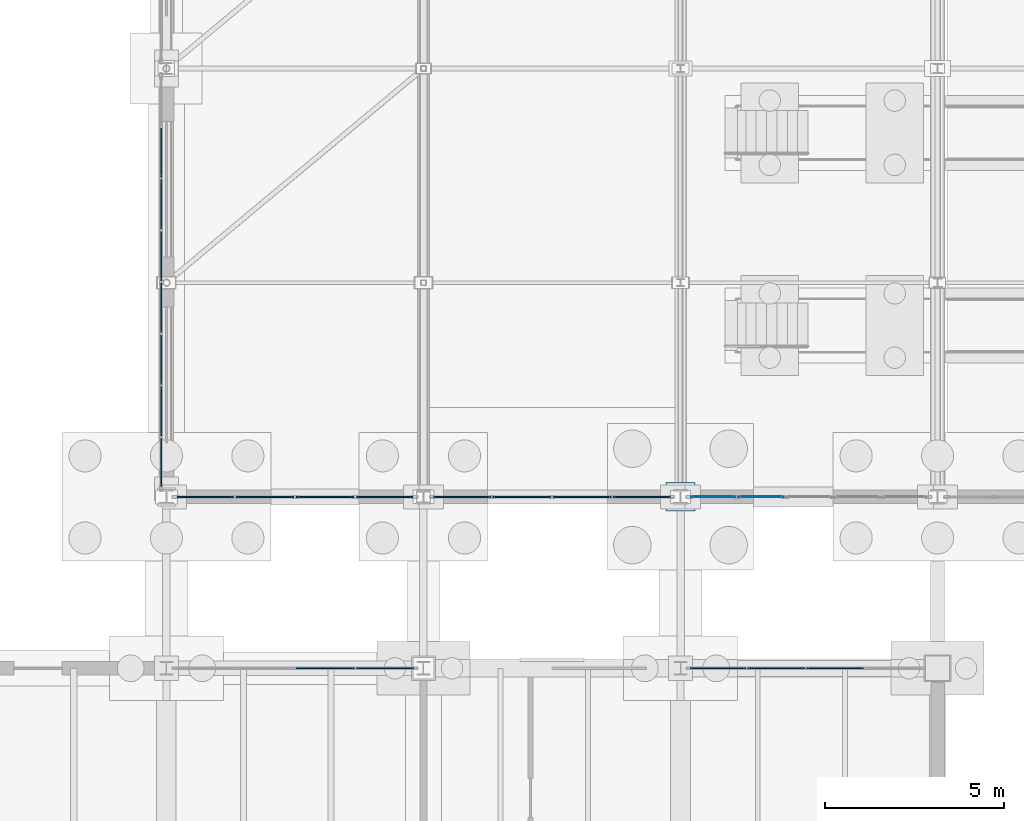
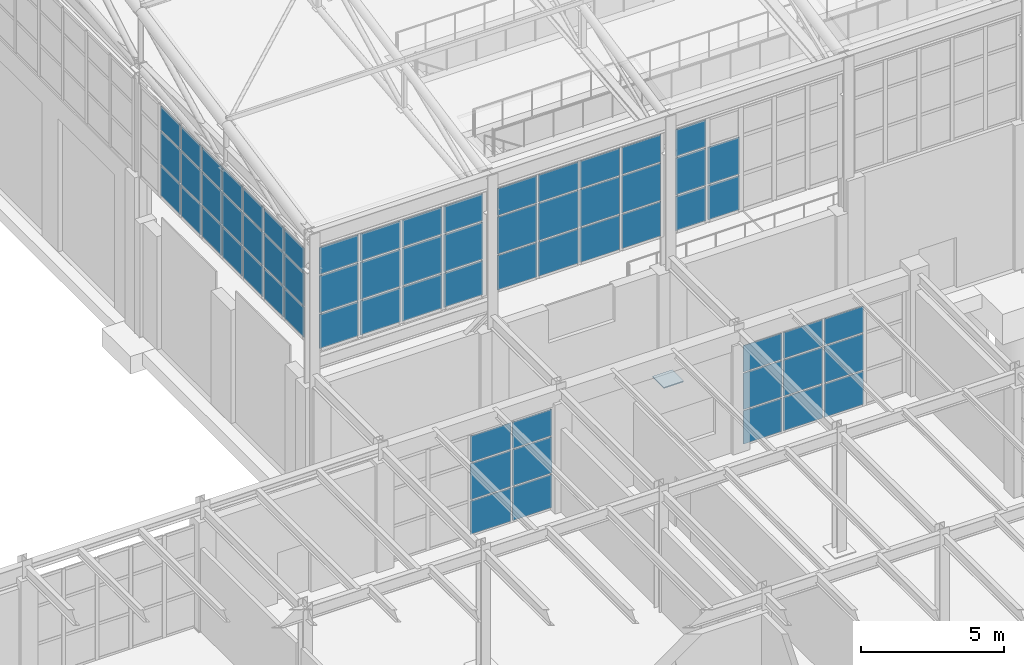
# One storey, part 238 of 293: 66 plates, 6 elements without a shape of their own.
"""IFC4 building model written with IfcOpenShell, lengths in metres."""

from ifc_helpers import new_model, si_unit, direction, frame, origin, origin_2d, place, context, subcontext, project, spatial, rectangle, extrude, material, layer, layer_set, type_object, element, aggregate, save


model = new_model("IFC4")

# Units and contexts
model_context = context("Model", 3, precision=1e-05, world=origin(), true_north=direction((0.0, 1.0)))
body_context = subcontext(model_context, "Body", "Model", "MODEL_VIEW")
ifc_project = project(units=[si_unit("LENGTHUNIT", "METRE"), si_unit("AREAUNIT", "SQUARE_METRE"), si_unit("VOLUMEUNIT", "CUBIC_METRE"), si_unit("PLANEANGLEUNIT", "RADIAN"), si_unit("MASSUNIT", "GRAM", prefix="KILO")], contexts=[model_context])

# Site, building, storey
site_placement = place(None, origin())
site = spatial("IfcSite", under=ifc_project, at=site_placement, CompositionType="ELEMENT")
building_placement = place(site_placement, origin())
building = spatial("IfcBuilding", under=site, at=building_placement, Name="Kemerveld Promenade Tramway Depot", CompositionType="ELEMENT")
storey_placement = place(building_placement, origin())
storey = spatial("IfcBuildingStorey", under=building, at=storey_placement, Name="L00", CompositionType="ELEMENT", Elevation=0.0)

# Curtain wall, plates
ifc_material_1 = material(Name="Bronze anodised aluminium and solar glass", Category="aluminium")
ifc_layer_1 = layer(ifc_material_1, 0.159912109375)
ifc_layer_set_1 = layer_set([ifc_layer_1], Name="CW-SYS-09")
curtain_wall_type_1 = type_object("IfcCurtainWallType", Name="CW-SYS-09", PredefinedType="USERDEFINED", material=ifc_layer_set_1)
curtain_wall_1_placement = place(storey_placement, origin())
curtain_wall_1 = element("IfcCurtainWall", 1, at=curtain_wall_1_placement, inside=storey, type_object=curtain_wall_type_1, Name="CW-L00-V5N-06", ObjectType="GLAZED_CURTAIN_WALL", PredefinedType="USERDEFINED")
ifc_material_2 = material(Name="Solar-control laminated double glazing", Category="glass")
ifc_layer_2 = layer(ifc_material_2, 0.028076171875)
ifc_layer_set_2 = layer_set([ifc_layer_2], Name="CW-PNL-01")
plate_type_1 = type_object("IfcPlateType", Name="CW-PNL-01", PredefinedType="CURTAIN_PANEL", material=ifc_layer_set_2)
plate_1_placement = place(storey_placement, frame((40.448486328125, 79.199951171875, 0.06005859375), z_axis=(0.0, 0.0, 1.0), x_axis=(1.0, 0.0, 0.0)))
plate_1 = element("IfcPlate", 2, at=plate_1_placement, type_object=plate_type_1, Name="CW09 panel 3.1", PredefinedType="CURTAIN_PANEL", context=body_context, shape_type="SweptSolid", body=[
    extrude(rectangle(XDim=1.6318359375, YDim=0.028076171875, at=origin_2d()), origin(), (0.0, 0.0, 1.0), 1.425048828125),
])
plate_2_placement = place(storey_placement, frame((40.448486328125, 79.199951171875, 1.544921875), z_axis=(0.0, 0.0, 1.0), x_axis=(1.0, 0.0, 0.0)))
plate_2 = element("IfcPlate", 3, at=plate_2_placement, type_object=plate_type_1, Name="CW09 panel 3.2", PredefinedType="CURTAIN_PANEL", context=body_context, shape_type="SweptSolid", body=[
    extrude(rectangle(XDim=1.6318359375, YDim=0.028076171875, at=origin_2d()), origin(), (0.0, 0.0, 1.0), 1.54296875),
])
plate_3_placement = place(storey_placement, frame((40.448486328125, 79.199951171875, 3.14794921875), z_axis=(0.0, 0.0, 1.0), x_axis=(1.0, 0.0, 0.0)))
plate_3 = element("IfcPlate", 4, at=plate_3_placement, type_object=plate_type_1, Name="CW09 panel 3.3", PredefinedType="CURTAIN_PANEL", context=body_context, shape_type="SweptSolid", body=[
    extrude(rectangle(XDim=1.6318359375, YDim=0.028076171875, at=origin_2d()), origin(), (0.0, 0.0, 1.0), 1.1220703125),
])
plate_4_placement = place(storey_placement, frame((42.12890625, 79.199951171875, 0.06005859375), z_axis=(0.0, 0.0, 1.0), x_axis=(1.0, 0.0, 0.0)))
plate_4 = element("IfcPlate", 5, at=plate_4_placement, type_object=plate_type_1, Name="CW09 panel 4.1", PredefinedType="CURTAIN_PANEL", context=body_context, shape_type="SweptSolid", body=[
    extrude(rectangle(XDim=1.599365234375, YDim=0.028076171875, at=origin_2d()), origin(), (0.0, 0.0, 1.0), 1.425048828125),
])
plate_5_placement = place(storey_placement, frame((42.12890625, 79.199951171875, 1.544921875), z_axis=(0.0, 0.0, 1.0), x_axis=(1.0, 0.0, 0.0)))
plate_5 = element("IfcPlate", 6, at=plate_5_placement, type_object=plate_type_1, Name="CW09 panel 4.2", PredefinedType="CURTAIN_PANEL", context=body_context, shape_type="SweptSolid", body=[
    extrude(rectangle(XDim=1.599365234375, YDim=0.028076171875, at=origin_2d()), origin(), (0.0, 0.0, 1.0), 1.54296875),
])
plate_6_placement = place(storey_placement, frame((42.12890625, 79.199951171875, 3.14794921875), z_axis=(0.0, 0.0, 1.0), x_axis=(1.0, 0.0, 0.0)))
plate_6 = element("IfcPlate", 7, at=plate_6_placement, type_object=plate_type_1, Name="CW09 panel 4.3", PredefinedType="CURTAIN_PANEL", context=body_context, shape_type="SweptSolid", body=[
    extrude(rectangle(XDim=1.599365234375, YDim=0.028076171875, at=origin_2d()), origin(), (0.0, 0.0, 1.0), 1.1220703125),
])
aggregate(curtain_wall_1, [plate_1, plate_2, plate_3, plate_4, plate_5, plate_6])

ifc_layer_3 = layer(ifc_material_1, 0.159912109375)
ifc_layer_set_3 = layer_set([ifc_layer_3], Name="CW-SYS-11")
curtain_wall_type_2 = type_object("IfcCurtainWallType", Name="CW-SYS-11", PredefinedType="USERDEFINED", material=ifc_layer_set_3)
curtain_wall_2_placement = place(storey_placement, origin())
curtain_wall_2 = element("IfcCurtainWall", 8, at=curtain_wall_2_placement, inside=storey, type_object=curtain_wall_type_2, Name="CW-L00-V5N-08", ObjectType="GLAZED_CURTAIN_WALL", PredefinedType="USERDEFINED")
ifc_layer_4 = layer(ifc_material_2, 0.028076171875)
ifc_layer_set_4 = layer_set([ifc_layer_4], Name="CW-PNL-03")
plate_type_2 = type_object("IfcPlateType", Name="CW-PNL-03", PredefinedType="CURTAIN_PANEL", material=ifc_layer_set_4)
plate_7_placement = place(storey_placement, frame((51.447265625, 79.199951171875, 0.06005859375), z_axis=(0.0, 0.0, 1.0), x_axis=(1.0, 0.0, 0.0)))
plate_7 = element("IfcPlate", 9, at=plate_7_placement, type_object=plate_type_2, Name="CW11 panel 1.1", PredefinedType="CURTAIN_PANEL", context=body_context, shape_type="SweptSolid", body=[
    extrude(rectangle(XDim=1.55224609375, YDim=0.028076171875, at=origin_2d()), origin(), (0.0, 0.0, 1.0), 1.425048828125),
])
plate_8_placement = place(storey_placement, frame((51.447265625, 79.199951171875, 1.544921875), z_axis=(0.0, 0.0, 1.0), x_axis=(1.0, 0.0, 0.0)))
plate_8 = element("IfcPlate", 10, at=plate_8_placement, type_object=plate_type_2, Name="CW11 panel 1.2", PredefinedType="CURTAIN_PANEL", context=body_context, shape_type="SweptSolid", body=[
    extrude(rectangle(XDim=1.55224609375, YDim=0.028076171875, at=origin_2d()), origin(), (0.0, 0.0, 1.0), 1.54296875),
])
plate_9_placement = place(storey_placement, frame((51.447265625, 79.199951171875, 3.14794921875), z_axis=(0.0, 0.0, 1.0), x_axis=(1.0, 0.0, 0.0)))
plate_9 = element("IfcPlate", 11, at=plate_9_placement, type_object=plate_type_2, Name="CW11 panel 1.3", PredefinedType="CURTAIN_PANEL", context=body_context, shape_type="SweptSolid", body=[
    extrude(rectangle(XDim=1.55224609375, YDim=0.028076171875, at=origin_2d()), origin(), (0.0, 0.0, 1.0), 1.1220703125),
])
plate_10_placement = place(storey_placement, frame((53.080810546875, 79.199951171875, 0.06005859375), z_axis=(0.0, 0.0, 1.0), x_axis=(1.0, 0.0, 0.0)))
plate_10 = element("IfcPlate", 12, at=plate_10_placement, type_object=plate_type_2, Name="CW11 panel 2.1", PredefinedType="CURTAIN_PANEL", context=body_context, shape_type="SweptSolid", body=[
    extrude(rectangle(XDim=1.584716796875, YDim=0.028076171875, at=origin_2d()), origin(), (0.0, 0.0, 1.0), 1.425048828125),
])
plate_11_placement = place(storey_placement, frame((53.080810546875, 79.199951171875, 1.544921875), z_axis=(0.0, 0.0, 1.0), x_axis=(1.0, 0.0, 0.0)))
plate_11 = element("IfcPlate", 13, at=plate_11_placement, type_object=plate_type_2, Name="CW11 panel 2.2", PredefinedType="CURTAIN_PANEL", context=body_context, shape_type="SweptSolid", body=[
    extrude(rectangle(XDim=1.584716796875, YDim=0.028076171875, at=origin_2d()), origin(), (0.0, 0.0, 1.0), 1.54296875),
])
plate_12_placement = place(storey_placement, frame((53.080810546875, 79.199951171875, 3.14794921875), z_axis=(0.0, 0.0, 1.0), x_axis=(1.0, 0.0, 0.0)))
plate_12 = element("IfcPlate", 14, at=plate_12_placement, type_object=plate_type_2, Name="CW11 panel 2.3", PredefinedType="CURTAIN_PANEL", context=body_context, shape_type="SweptSolid", body=[
    extrude(rectangle(XDim=1.584716796875, YDim=0.028076171875, at=origin_2d()), origin(), (0.0, 0.0, 1.0), 1.1220703125),
])
plate_13_placement = place(storey_placement, frame((54.73046875, 79.199951171875, 0.06005859375), z_axis=(0.0, 0.0, 1.0), x_axis=(1.0, 0.0, 0.0)))
plate_13 = element("IfcPlate", 15, at=plate_13_placement, type_object=plate_type_2, Name="CW11 panel 3.1", PredefinedType="CURTAIN_PANEL", context=body_context, shape_type="SweptSolid", body=[
    extrude(rectangle(XDim=1.584716796875, YDim=0.028076171875, at=origin_2d()), origin(), (0.0, 0.0, 1.0), 1.425048828125),
])
plate_14_placement = place(storey_placement, frame((54.73046875, 79.199951171875, 1.544921875), z_axis=(0.0, 0.0, 1.0), x_axis=(1.0, 0.0, 0.0)))
plate_14 = element("IfcPlate", 16, at=plate_14_placement, type_object=plate_type_2, Name="CW11 panel 3.2", PredefinedType="CURTAIN_PANEL", context=body_context, shape_type="SweptSolid", body=[
    extrude(rectangle(XDim=1.584716796875, YDim=0.028076171875, at=origin_2d()), origin(), (0.0, 0.0, 1.0), 1.54296875),
])
plate_15_placement = place(storey_placement, frame((54.73046875, 79.199951171875, 3.14794921875), z_axis=(0.0, 0.0, 1.0), x_axis=(1.0, 0.0, 0.0)))
plate_15 = element("IfcPlate", 17, at=plate_15_placement, type_object=plate_type_2, Name="CW11 panel 3.3", PredefinedType="CURTAIN_PANEL", context=body_context, shape_type="SweptSolid", body=[
    extrude(rectangle(XDim=1.584716796875, YDim=0.028076171875, at=origin_2d()), origin(), (0.0, 0.0, 1.0), 1.1220703125),
])
aggregate(curtain_wall_2, [plate_7, plate_8, plate_9, plate_10, plate_11, plate_12, plate_13, plate_14, plate_15])

ifc_layer_5 = layer(ifc_material_1, 0.199951171875)
ifc_layer_set_5 = layer_set([ifc_layer_5], Name="CW-SYS-04")
curtain_wall_type_3 = type_object("IfcCurtainWallType", Name="CW-SYS-04", PredefinedType="USERDEFINED", material=ifc_layer_set_5)
curtain_wall_3_placement = place(storey_placement, origin())
curtain_wall_3 = element("IfcCurtainWall", 18, at=curtain_wall_3_placement, inside=storey, type_object=curtain_wall_type_3, Name="CW-V1-S-01", ObjectType="GLAZED_CURTAIN_WALL", PredefinedType="USERDEFINED")
ifc_layer_6 = layer(ifc_material_2, 0.031982421875)
ifc_layer_set_6 = layer_set([ifc_layer_6], Name="CW-PNL-04")
plate_type_3 = type_object("IfcPlateType", Name="CW-PNL-04", PredefinedType="CURTAIN_PANEL", material=ifc_layer_set_6)
plate_16_placement = place(storey_placement, frame((42.11376953125, 84.0, 6.26513671875), z_axis=(0.0, 0.0, 1.0), x_axis=(-1.0, 0.0, 0.0)))
plate_16 = element("IfcPlate", 19, at=plate_16_placement, type_object=plate_type_3, Name="CW04 panel 1.1", PredefinedType="CURTAIN_PANEL", context=body_context, shape_type="SweptSolid", body=[
    extrude(rectangle(XDim=1.575927734375, YDim=0.031982421875, at=origin_2d()), origin(), (0.0, 0.0, 1.0), 1.46044921875),
])
plate_17_placement = place(storey_placement, frame((42.11376953125, 84.0, 7.79052734375), z_axis=(0.0, 0.0, 1.0), x_axis=(-1.0, 0.0, 0.0)))
plate_17 = element("IfcPlate", 20, at=plate_17_placement, type_object=plate_type_3, Name="CW04 panel 1.2", PredefinedType="CURTAIN_PANEL", context=body_context, shape_type="SweptSolid", body=[
    extrude(rectangle(XDim=1.575927734375, YDim=0.031982421875, at=origin_2d()), origin(), (0.0, 0.0, 1.0), 1.5810546875),
])
plate_18_placement = place(storey_placement, frame((42.11376953125, 84.0, 9.4365234375), z_axis=(0.0, 0.0, 1.0), x_axis=(-1.0, 0.0, 0.0)))
plate_18 = element("IfcPlate", 21, at=plate_18_placement, type_object=plate_type_3, Name="CW04 panel 1.3", PredefinedType="CURTAIN_PANEL", context=body_context, shape_type="SweptSolid", body=[
    extrude(rectangle(XDim=1.575927734375, YDim=0.031982421875, at=origin_2d()), origin(), (0.0, 0.0, 1.0), 1.1484375),
])
plate_19_placement = place(storey_placement, frame((40.444091796875, 84.0, 6.26513671875), z_axis=(0.0, 0.0, 1.0), x_axis=(-1.0, 0.0, 0.0)))
plate_19 = element("IfcPlate", 22, at=plate_19_placement, type_object=plate_type_3, Name="CW04 panel 2.1", PredefinedType="CURTAIN_PANEL", context=body_context, shape_type="SweptSolid", body=[
    extrude(rectangle(XDim=1.61328125, YDim=0.031982421875, at=origin_2d()), origin(), (0.0, 0.0, 1.0), 1.46044921875),
])
plate_20_placement = place(storey_placement, frame((40.444091796875, 84.0, 7.79052734375), z_axis=(0.0, 0.0, 1.0), x_axis=(-1.0, 0.0, 0.0)))
plate_20 = element("IfcPlate", 23, at=plate_20_placement, type_object=plate_type_3, Name="CW04 panel 2.2", PredefinedType="CURTAIN_PANEL", context=body_context, shape_type="SweptSolid", body=[
    extrude(rectangle(XDim=1.61328125, YDim=0.031982421875, at=origin_2d()), origin(), (0.0, 0.0, 1.0), 1.5810546875),
])
plate_21_placement = place(storey_placement, frame((40.444091796875, 84.0, 9.4365234375), z_axis=(0.0, 0.0, 1.0), x_axis=(-1.0, 0.0, 0.0)))
plate_21 = element("IfcPlate", 24, at=plate_21_placement, type_object=plate_type_3, Name="CW04 panel 2.3", PredefinedType="CURTAIN_PANEL", context=body_context, shape_type="SweptSolid", body=[
    extrude(rectangle(XDim=1.61328125, YDim=0.031982421875, at=origin_2d()), origin(), (0.0, 0.0, 1.0), 1.1484375),
])
plate_22_placement = place(storey_placement, frame((38.755859375, 84.0, 6.26513671875), z_axis=(0.0, 0.0, 1.0), x_axis=(-1.0, 0.0, 0.0)))
plate_22 = element("IfcPlate", 25, at=plate_22_placement, type_object=plate_type_3, Name="CW04 panel 3.1", PredefinedType="CURTAIN_PANEL", context=body_context, shape_type="SweptSolid", body=[
    extrude(rectangle(XDim=1.61328125, YDim=0.031982421875, at=origin_2d()), origin(), (0.0, 0.0, 1.0), 1.46044921875),
])
plate_23_placement = place(storey_placement, frame((38.755859375, 84.0, 7.79052734375), z_axis=(0.0, 0.0, 1.0), x_axis=(-1.0, 0.0, 0.0)))
plate_23 = element("IfcPlate", 26, at=plate_23_placement, type_object=plate_type_3, Name="CW04 panel 3.2", PredefinedType="CURTAIN_PANEL", context=body_context, shape_type="SweptSolid", body=[
    extrude(rectangle(XDim=1.61328125, YDim=0.031982421875, at=origin_2d()), origin(), (0.0, 0.0, 1.0), 1.5810546875),
])
plate_24_placement = place(storey_placement, frame((38.755859375, 84.0, 9.4365234375), z_axis=(0.0, 0.0, 1.0), x_axis=(-1.0, 0.0, 0.0)))
plate_24 = element("IfcPlate", 27, at=plate_24_placement, type_object=plate_type_3, Name="CW04 panel 3.3", PredefinedType="CURTAIN_PANEL", context=body_context, shape_type="SweptSolid", body=[
    extrude(rectangle(XDim=1.61328125, YDim=0.031982421875, at=origin_2d()), origin(), (0.0, 0.0, 1.0), 1.1484375),
])
plate_25_placement = place(storey_placement, frame((37.086181640625, 84.0, 6.26513671875), z_axis=(0.0, 0.0, 1.0), x_axis=(-1.0, 0.0, 0.0)))
plate_25 = element("IfcPlate", 28, at=plate_25_placement, type_object=plate_type_3, Name="CW04 panel 4.1", PredefinedType="CURTAIN_PANEL", context=body_context, shape_type="SweptSolid", body=[
    extrude(rectangle(XDim=1.575927734375, YDim=0.031982421875, at=origin_2d()), origin(), (0.0, 0.0, 1.0), 1.46044921875),
])
plate_26_placement = place(storey_placement, frame((37.086181640625, 84.0, 7.79052734375), z_axis=(0.0, 0.0, 1.0), x_axis=(-1.0, 0.0, 0.0)))
plate_26 = element("IfcPlate", 29, at=plate_26_placement, type_object=plate_type_3, Name="CW04 panel 4.2", PredefinedType="CURTAIN_PANEL", context=body_context, shape_type="SweptSolid", body=[
    extrude(rectangle(XDim=1.575927734375, YDim=0.031982421875, at=origin_2d()), origin(), (0.0, 0.0, 1.0), 1.5810546875),
])
plate_27_placement = place(storey_placement, frame((37.086181640625, 84.0, 9.4365234375), z_axis=(0.0, 0.0, 1.0), x_axis=(-1.0, 0.0, 0.0)))
plate_27 = element("IfcPlate", 30, at=plate_27_placement, type_object=plate_type_3, Name="CW04 panel 4.3", PredefinedType="CURTAIN_PANEL", context=body_context, shape_type="SweptSolid", body=[
    extrude(rectangle(XDim=1.575927734375, YDim=0.031982421875, at=origin_2d()), origin(), (0.0, 0.0, 1.0), 1.1484375),
])
aggregate(curtain_wall_3, [plate_16, plate_17, plate_18, plate_19, plate_20, plate_21, plate_22, plate_23, plate_24, plate_25, plate_26, plate_27])

ifc_layer_7 = layer(ifc_material_1, 0.159912109375)
ifc_layer_set_7 = layer_set([ifc_layer_7], Name="CW-SYS-05")
curtain_wall_type_4 = type_object("IfcCurtainWallType", Name="CW-SYS-05", PredefinedType="USERDEFINED", material=ifc_layer_set_7)
curtain_wall_4_placement = place(storey_placement, origin())
curtain_wall_4 = element("IfcCurtainWall", 31, at=curtain_wall_4_placement, inside=storey, type_object=curtain_wall_type_4, Name="CW-V1-S-02", ObjectType="GLAZED_CURTAIN_WALL", PredefinedType="USERDEFINED")
ifc_layer_8 = layer(ifc_material_2, 0.031982421875)
ifc_layer_set_8 = layer_set([ifc_layer_8], Name="CW-PNL-05")
plate_type_4 = type_object("IfcPlateType", Name="CW-PNL-05", PredefinedType="CURTAIN_PANEL", material=ifc_layer_set_8)
plate_28_placement = place(storey_placement, frame((49.31640625, 84.0, 6.259765625), z_axis=(0.0, 0.0, 1.0), x_axis=(-1.0, 0.0, 0.0)))
plate_28 = element("IfcPlate", 32, at=plate_28_placement, type_object=plate_type_4, Name="CW05 panel 1.1", PredefinedType="CURTAIN_PANEL", context=body_context, shape_type="SweptSolid", body=[
    extrude(rectangle(XDim=1.5908203125, YDim=0.031982421875, at=origin_2d()), origin(), (0.0, 0.0, 1.0), 1.468017578125),
])
plate_29_placement = place(storey_placement, frame((49.31640625, 84.0, 7.7880859375), z_axis=(0.0, 0.0, 1.0), x_axis=(-1.0, 0.0, 0.0)))
plate_29 = element("IfcPlate", 33, at=plate_29_placement, type_object=plate_type_4, Name="CW05 panel 1.2", PredefinedType="CURTAIN_PANEL", context=body_context, shape_type="SweptSolid", body=[
    extrude(rectangle(XDim=1.5908203125, YDim=0.031982421875, at=origin_2d()), origin(), (0.0, 0.0, 1.0), 1.5859375),
])
plate_30_placement = place(storey_placement, frame((49.31640625, 84.0, 9.43408203125), z_axis=(0.0, 0.0, 1.0), x_axis=(-1.0, 0.0, 0.0)))
plate_30 = element("IfcPlate", 34, at=plate_30_placement, type_object=plate_type_4, Name="CW05 panel 1.3", PredefinedType="CURTAIN_PANEL", context=body_context, shape_type="SweptSolid", body=[
    extrude(rectangle(XDim=1.5908203125, YDim=0.031982421875, at=origin_2d()), origin(), (0.0, 0.0, 1.0), 1.156005859375),
])
plate_31_placement = place(storey_placement, frame((47.644287109375, 84.0, 6.259765625), z_axis=(0.0, 0.0, 1.0), x_axis=(-1.0, 0.0, 0.0)))
plate_31 = element("IfcPlate", 35, at=plate_31_placement, type_object=plate_type_4, Name="CW05 panel 2.1", PredefinedType="CURTAIN_PANEL", context=body_context, shape_type="SweptSolid", body=[
    extrude(rectangle(XDim=1.623291015625, YDim=0.031982421875, at=origin_2d()), origin(), (0.0, 0.0, 1.0), 1.468017578125),
])
plate_32_placement = place(storey_placement, frame((47.644287109375, 84.0, 7.7880859375), z_axis=(0.0, 0.0, 1.0), x_axis=(-1.0, 0.0, 0.0)))
plate_32 = element("IfcPlate", 36, at=plate_32_placement, type_object=plate_type_4, Name="CW05 panel 2.2", PredefinedType="CURTAIN_PANEL", context=body_context, shape_type="SweptSolid", body=[
    extrude(rectangle(XDim=1.623291015625, YDim=0.031982421875, at=origin_2d()), origin(), (0.0, 0.0, 1.0), 1.5859375),
])
plate_33_placement = place(storey_placement, frame((47.644287109375, 84.0, 9.43408203125), z_axis=(0.0, 0.0, 1.0), x_axis=(-1.0, 0.0, 0.0)))
plate_33 = element("IfcPlate", 37, at=plate_33_placement, type_object=plate_type_4, Name="CW05 panel 2.3", PredefinedType="CURTAIN_PANEL", context=body_context, shape_type="SweptSolid", body=[
    extrude(rectangle(XDim=1.623291015625, YDim=0.031982421875, at=origin_2d()), origin(), (0.0, 0.0, 1.0), 1.156005859375),
])
plate_34_placement = place(storey_placement, frame((45.955810546875, 84.0, 6.259765625), z_axis=(0.0, 0.0, 1.0), x_axis=(-1.0, 0.0, 0.0)))
plate_34 = element("IfcPlate", 38, at=plate_34_placement, type_object=plate_type_4, Name="CW05 panel 3.1", PredefinedType="CURTAIN_PANEL", context=body_context, shape_type="SweptSolid", body=[
    extrude(rectangle(XDim=1.623291015625, YDim=0.031982421875, at=origin_2d()), origin(), (0.0, 0.0, 1.0), 1.468017578125),
])
plate_35_placement = place(storey_placement, frame((45.955810546875, 84.0, 7.7880859375), z_axis=(0.0, 0.0, 1.0), x_axis=(-1.0, 0.0, 0.0)))
plate_35 = element("IfcPlate", 39, at=plate_35_placement, type_object=plate_type_4, Name="CW05 panel 3.2", PredefinedType="CURTAIN_PANEL", context=body_context, shape_type="SweptSolid", body=[
    extrude(rectangle(XDim=1.623291015625, YDim=0.031982421875, at=origin_2d()), origin(), (0.0, 0.0, 1.0), 1.5859375),
])
plate_36_placement = place(storey_placement, frame((45.955810546875, 84.0, 9.43408203125), z_axis=(0.0, 0.0, 1.0), x_axis=(-1.0, 0.0, 0.0)))
plate_36 = element("IfcPlate", 40, at=plate_36_placement, type_object=plate_type_4, Name="CW05 panel 3.3", PredefinedType="CURTAIN_PANEL", context=body_context, shape_type="SweptSolid", body=[
    extrude(rectangle(XDim=1.623291015625, YDim=0.031982421875, at=origin_2d()), origin(), (0.0, 0.0, 1.0), 1.156005859375),
])
plate_37_placement = place(storey_placement, frame((44.28369140625, 84.0, 6.259765625), z_axis=(0.0, 0.0, 1.0), x_axis=(-1.0, 0.0, 0.0)))
plate_37 = element("IfcPlate", 41, at=plate_37_placement, type_object=plate_type_4, Name="CW05 panel 4.1", PredefinedType="CURTAIN_PANEL", context=body_context, shape_type="SweptSolid", body=[
    extrude(rectangle(XDim=1.5908203125, YDim=0.031982421875, at=origin_2d()), origin(), (0.0, 0.0, 1.0), 1.468017578125),
])
plate_38_placement = place(storey_placement, frame((44.28369140625, 84.0, 7.7880859375), z_axis=(0.0, 0.0, 1.0), x_axis=(-1.0, 0.0, 0.0)))
plate_38 = element("IfcPlate", 42, at=plate_38_placement, type_object=plate_type_4, Name="CW05 panel 4.2", PredefinedType="CURTAIN_PANEL", context=body_context, shape_type="SweptSolid", body=[
    extrude(rectangle(XDim=1.5908203125, YDim=0.031982421875, at=origin_2d()), origin(), (0.0, 0.0, 1.0), 1.5859375),
])
plate_39_placement = place(storey_placement, frame((44.28369140625, 84.0, 9.43408203125), z_axis=(0.0, 0.0, 1.0), x_axis=(-1.0, 0.0, 0.0)))
plate_39 = element("IfcPlate", 43, at=plate_39_placement, type_object=plate_type_4, Name="CW05 panel 4.3", PredefinedType="CURTAIN_PANEL", context=body_context, shape_type="SweptSolid", body=[
    extrude(rectangle(XDim=1.5908203125, YDim=0.031982421875, at=origin_2d()), origin(), (0.0, 0.0, 1.0), 1.156005859375),
])
aggregate(curtain_wall_4, [plate_28, plate_29, plate_30, plate_31, plate_32, plate_33, plate_34, plate_35, plate_36, plate_37, plate_38, plate_39])

ifc_layer_9 = layer(ifc_material_1, 0.199951171875)
ifc_layer_set_9 = layer_set([ifc_layer_9], Name="CW-SYS-06")
curtain_wall_type_5 = type_object("IfcCurtainWallType", Name="CW-SYS-06", PredefinedType="USERDEFINED", material=ifc_layer_set_9)
curtain_wall_5_placement = place(storey_placement, origin())
curtain_wall_5 = element("IfcCurtainWall", 44, at=curtain_wall_5_placement, inside=storey, type_object=curtain_wall_type_5, Name="CW-V1-S-03", ObjectType="GLAZED_CURTAIN_WALL", PredefinedType="USERDEFINED")
ifc_layer_10 = layer(ifc_material_2, 0.02587890625)
ifc_layer_set_10 = layer_set([ifc_layer_10], Name="CW-PNL-06")
plate_type_5 = type_object("IfcPlateType", Name="CW-PNL-06", PredefinedType="CURTAIN_PANEL", material=ifc_layer_set_10)
plate_40_placement = place(storey_placement, frame((52.649169921875, 84.0, 6.26513671875), z_axis=(0.0, 0.0, 1.0), x_axis=(-1.0, 0.0, 0.0)))
plate_40 = element("IfcPlate", 45, at=plate_40_placement, type_object=plate_type_5, Name="CW06 panel 4.1", PredefinedType="CURTAIN_PANEL", context=body_context, shape_type="SweptSolid", body=[
    extrude(rectangle(XDim=1.275634765625, YDim=0.02587890625, at=origin_2d()), origin(), (0.0, 0.0, 1.0), 1.46044921875),
])
plate_41_placement = place(storey_placement, frame((52.649169921875, 84.0, 7.79052734375), z_axis=(0.0, 0.0, 1.0), x_axis=(-1.0, 0.0, 0.0)))
plate_41 = element("IfcPlate", 46, at=plate_41_placement, type_object=plate_type_5, Name="CW06 panel 4.2", PredefinedType="CURTAIN_PANEL", context=body_context, shape_type="SweptSolid", body=[
    extrude(rectangle(XDim=1.275634765625, YDim=0.02587890625, at=origin_2d()), origin(), (0.0, 0.0, 1.0), 1.5810546875),
])
plate_42_placement = place(storey_placement, frame((51.3173828125, 84.0, 6.26513671875), z_axis=(0.0, 0.0, 1.0), x_axis=(-1.0, 0.0, 0.0)))
plate_42 = element("IfcPlate", 47, at=plate_42_placement, type_object=plate_type_5, Name="CW06 panel 5.1", PredefinedType="CURTAIN_PANEL", context=body_context, shape_type="SweptSolid", body=[
    extrude(rectangle(XDim=1.23828125, YDim=0.02587890625, at=origin_2d()), origin(), (0.0, 0.0, 1.0), 1.46044921875),
])
plate_43_placement = place(storey_placement, frame((51.3173828125, 84.0, 7.79052734375), z_axis=(0.0, 0.0, 1.0), x_axis=(-1.0, 0.0, 0.0)))
plate_43 = element("IfcPlate", 48, at=plate_43_placement, type_object=plate_type_5, Name="CW06 panel 5.2", PredefinedType="CURTAIN_PANEL", context=body_context, shape_type="SweptSolid", body=[
    extrude(rectangle(XDim=1.23828125, YDim=0.02587890625, at=origin_2d()), origin(), (0.0, 0.0, 1.0), 1.5810546875),
])
plate_44_placement = place(storey_placement, frame((51.3173828125, 84.0, 9.4365234375), z_axis=(0.0, 0.0, 1.0), x_axis=(-1.0, 0.0, 0.0)))
plate_44 = element("IfcPlate", 49, at=plate_44_placement, type_object=plate_type_5, Name="CW06 panel 5.3", PredefinedType="CURTAIN_PANEL", context=body_context, shape_type="SweptSolid", body=[
    extrude(rectangle(XDim=1.23828125, YDim=0.02587890625, at=origin_2d()), origin(), (0.0, 0.0, 1.0), 1.1484375),
])
aggregate(curtain_wall_5, [plate_40, plate_41, plate_42, plate_43, plate_44])

ifc_layer_11 = layer(ifc_material_1, 0.199951171875)
ifc_layer_set_11 = layer_set([ifc_layer_11], Name="CW-SYS-08")
curtain_wall_type_6 = type_object("IfcCurtainWallType", Name="CW-SYS-08", PredefinedType="USERDEFINED", material=ifc_layer_set_11)
curtain_wall_6_placement = place(storey_placement, origin())
curtain_wall_6 = element("IfcCurtainWall", 50, at=curtain_wall_6_placement, inside=storey, type_object=curtain_wall_type_6, Name="CW-V1-W-01", ObjectType="GLAZED_CURTAIN_WALL", PredefinedType="USERDEFINED")
ifc_layer_12 = layer(ifc_material_2, 0.028076171875)
ifc_layer_set_12 = layer_set([ifc_layer_12], Name="CW-PNL-08")
plate_type_6 = type_object("IfcPlateType", Name="CW-PNL-08", PredefinedType="CURTAIN_PANEL", material=ifc_layer_set_12)
plate_45_placement = place(storey_placement, frame((35.85009765625, 84.966552734375, 6.71484375), z_axis=(0.0, 0.0, 1.0), x_axis=(0.0, 1.0, 0.0)))
plate_45 = element("IfcPlate", 51, at=plate_45_placement, type_object=plate_type_6, Name="CW08 panel 1.1", PredefinedType="CURTAIN_PANEL", context=body_context, shape_type="SweptSolid", body=[
    extrude(rectangle(XDim=1.336669921875, YDim=0.028076171875, at=origin_2d()), origin(), (0.0, 0.0, 1.0), 1.285400390625),
])
plate_46_placement = place(storey_placement, frame((35.85009765625, 84.966552734375, 8.0654296875), z_axis=(0.0, 0.0, 1.0), x_axis=(0.0, 1.0, 0.0)))
plate_46 = element("IfcPlate", 52, at=plate_46_placement, type_object=plate_type_6, Name="CW08 panel 1.2", PredefinedType="CURTAIN_PANEL", context=body_context, shape_type="SweptSolid", body=[
    extrude(rectangle(XDim=1.336669921875, YDim=0.028076171875, at=origin_2d()), origin(), (0.0, 0.0, 1.0), 1.39599609375),
])
plate_47_placement = place(storey_placement, frame((35.85009765625, 84.966552734375, 9.5263671875), z_axis=(0.0, 0.0, 1.0), x_axis=(0.0, 1.0, 0.0)))
plate_47 = element("IfcPlate", 53, at=plate_47_placement, type_object=plate_type_6, Name="CW08 panel 1.3", PredefinedType="CURTAIN_PANEL", context=body_context, shape_type="SweptSolid", body=[
    extrude(rectangle(XDim=1.336669921875, YDim=0.028076171875, at=origin_2d()), origin(), (0.0, 0.0, 1.0), 1.008544921875),
])
plate_48_placement = place(storey_placement, frame((35.85009765625, 86.39697265625, 6.71484375), z_axis=(0.0, 0.0, 1.0), x_axis=(0.0, 1.0, 0.0)))
plate_48 = element("IfcPlate", 54, at=plate_48_placement, type_object=plate_type_6, Name="CW08 panel 2.1", PredefinedType="CURTAIN_PANEL", context=body_context, shape_type="SweptSolid", body=[
    extrude(rectangle(XDim=1.374267578125, YDim=0.028076171875, at=origin_2d()), origin(), (0.0, 0.0, 1.0), 1.285400390625),
])
plate_49_placement = place(storey_placement, frame((35.85009765625, 86.39697265625, 8.0654296875), z_axis=(0.0, 0.0, 1.0), x_axis=(0.0, 1.0, 0.0)))
plate_49 = element("IfcPlate", 55, at=plate_49_placement, type_object=plate_type_6, Name="CW08 panel 2.2", PredefinedType="CURTAIN_PANEL", context=body_context, shape_type="SweptSolid", body=[
    extrude(rectangle(XDim=1.374267578125, YDim=0.028076171875, at=origin_2d()), origin(), (0.0, 0.0, 1.0), 1.39599609375),
])
plate_50_placement = place(storey_placement, frame((35.85009765625, 86.39697265625, 9.5263671875), z_axis=(0.0, 0.0, 1.0), x_axis=(0.0, 1.0, 0.0)))
plate_50 = element("IfcPlate", 56, at=plate_50_placement, type_object=plate_type_6, Name="CW08 panel 2.3", PredefinedType="CURTAIN_PANEL", context=body_context, shape_type="SweptSolid", body=[
    extrude(rectangle(XDim=1.374267578125, YDim=0.028076171875, at=origin_2d()), origin(), (0.0, 0.0, 1.0), 1.008544921875),
])
plate_51_placement = place(storey_placement, frame((35.85009765625, 87.84619140625, 6.71484375), z_axis=(0.0, 0.0, 1.0), x_axis=(0.0, 1.0, 0.0)))
plate_51 = element("IfcPlate", 57, at=plate_51_placement, type_object=plate_type_6, Name="CW08 panel 3.1", PredefinedType="CURTAIN_PANEL", context=body_context, shape_type="SweptSolid", body=[
    extrude(rectangle(XDim=1.374267578125, YDim=0.028076171875, at=origin_2d()), origin(), (0.0, 0.0, 1.0), 1.285400390625),
])
plate_52_placement = place(storey_placement, frame((35.85009765625, 87.84619140625, 8.0654296875), z_axis=(0.0, 0.0, 1.0), x_axis=(0.0, 1.0, 0.0)))
plate_52 = element("IfcPlate", 58, at=plate_52_placement, type_object=plate_type_6, Name="CW08 panel 3.2", PredefinedType="CURTAIN_PANEL", context=body_context, shape_type="SweptSolid", body=[
    extrude(rectangle(XDim=1.374267578125, YDim=0.028076171875, at=origin_2d()), origin(), (0.0, 0.0, 1.0), 1.39599609375),
])
plate_53_placement = place(storey_placement, frame((35.85009765625, 87.84619140625, 9.5263671875), z_axis=(0.0, 0.0, 1.0), x_axis=(0.0, 1.0, 0.0)))
plate_53 = element("IfcPlate", 59, at=plate_53_placement, type_object=plate_type_6, Name="CW08 panel 3.3", PredefinedType="CURTAIN_PANEL", context=body_context, shape_type="SweptSolid", body=[
    extrude(rectangle(XDim=1.374267578125, YDim=0.028076171875, at=origin_2d()), origin(), (0.0, 0.0, 1.0), 1.008544921875),
])
plate_54_placement = place(storey_placement, frame((35.85009765625, 89.295166015625, 6.71484375), z_axis=(0.0, 0.0, 1.0), x_axis=(0.0, 1.0, 0.0)))
plate_54 = element("IfcPlate", 60, at=plate_54_placement, type_object=plate_type_6, Name="CW08 panel 4.1", PredefinedType="CURTAIN_PANEL", context=body_context, shape_type="SweptSolid", body=[
    extrude(rectangle(XDim=1.374267578125, YDim=0.028076171875, at=origin_2d()), origin(), (0.0, 0.0, 1.0), 1.285400390625),
])
plate_55_placement = place(storey_placement, frame((35.85009765625, 89.295166015625, 8.0654296875), z_axis=(0.0, 0.0, 1.0), x_axis=(0.0, 1.0, 0.0)))
plate_55 = element("IfcPlate", 61, at=plate_55_placement, type_object=plate_type_6, Name="CW08 panel 4.2", PredefinedType="CURTAIN_PANEL", context=body_context, shape_type="SweptSolid", body=[
    extrude(rectangle(XDim=1.374267578125, YDim=0.028076171875, at=origin_2d()), origin(), (0.0, 0.0, 1.0), 1.39599609375),
])
plate_56_placement = place(storey_placement, frame((35.85009765625, 89.295166015625, 9.5263671875), z_axis=(0.0, 0.0, 1.0), x_axis=(0.0, 1.0, 0.0)))
plate_56 = element("IfcPlate", 62, at=plate_56_placement, type_object=plate_type_6, Name="CW08 panel 4.3", PredefinedType="CURTAIN_PANEL", context=body_context, shape_type="SweptSolid", body=[
    extrude(rectangle(XDim=1.374267578125, YDim=0.028076171875, at=origin_2d()), origin(), (0.0, 0.0, 1.0), 1.008544921875),
])
plate_57_placement = place(storey_placement, frame((35.85009765625, 90.744384765625, 6.71484375), z_axis=(0.0, 0.0, 1.0), x_axis=(0.0, 1.0, 0.0)))
plate_57 = element("IfcPlate", 63, at=plate_57_placement, type_object=plate_type_6, Name="CW08 panel 5.1", PredefinedType="CURTAIN_PANEL", context=body_context, shape_type="SweptSolid", body=[
    extrude(rectangle(XDim=1.374267578125, YDim=0.028076171875, at=origin_2d()), origin(), (0.0, 0.0, 1.0), 1.285400390625),
])
plate_58_placement = place(storey_placement, frame((35.85009765625, 90.744384765625, 8.0654296875), z_axis=(0.0, 0.0, 1.0), x_axis=(0.0, 1.0, 0.0)))
plate_58 = element("IfcPlate", 64, at=plate_58_placement, type_object=plate_type_6, Name="CW08 panel 5.2", PredefinedType="CURTAIN_PANEL", context=body_context, shape_type="SweptSolid", body=[
    extrude(rectangle(XDim=1.374267578125, YDim=0.028076171875, at=origin_2d()), origin(), (0.0, 0.0, 1.0), 1.39599609375),
])
plate_59_placement = place(storey_placement, frame((35.85009765625, 90.744384765625, 9.5263671875), z_axis=(0.0, 0.0, 1.0), x_axis=(0.0, 1.0, 0.0)))
plate_59 = element("IfcPlate", 65, at=plate_59_placement, type_object=plate_type_6, Name="CW08 panel 5.3", PredefinedType="CURTAIN_PANEL", context=body_context, shape_type="SweptSolid", body=[
    extrude(rectangle(XDim=1.374267578125, YDim=0.028076171875, at=origin_2d()), origin(), (0.0, 0.0, 1.0), 1.008544921875),
])
plate_60_placement = place(storey_placement, frame((35.85009765625, 92.193603515625, 6.71484375), z_axis=(0.0, 0.0, 1.0), x_axis=(0.0, 1.0, 0.0)))
plate_60 = element("IfcPlate", 66, at=plate_60_placement, type_object=plate_type_6, Name="CW08 panel 6.1", PredefinedType="CURTAIN_PANEL", context=body_context, shape_type="SweptSolid", body=[
    extrude(rectangle(XDim=1.374267578125, YDim=0.028076171875, at=origin_2d()), origin(), (0.0, 0.0, 1.0), 1.285400390625),
])
plate_61_placement = place(storey_placement, frame((35.85009765625, 92.193603515625, 8.0654296875), z_axis=(0.0, 0.0, 1.0), x_axis=(0.0, 1.0, 0.0)))
plate_61 = element("IfcPlate", 67, at=plate_61_placement, type_object=plate_type_6, Name="CW08 panel 6.2", PredefinedType="CURTAIN_PANEL", context=body_context, shape_type="SweptSolid", body=[
    extrude(rectangle(XDim=1.374267578125, YDim=0.028076171875, at=origin_2d()), origin(), (0.0, 0.0, 1.0), 1.39599609375),
])
plate_62_placement = place(storey_placement, frame((35.85009765625, 92.193603515625, 9.5263671875), z_axis=(0.0, 0.0, 1.0), x_axis=(0.0, 1.0, 0.0)))
plate_62 = element("IfcPlate", 68, at=plate_62_placement, type_object=plate_type_6, Name="CW08 panel 6.3", PredefinedType="CURTAIN_PANEL", context=body_context, shape_type="SweptSolid", body=[
    extrude(rectangle(XDim=1.374267578125, YDim=0.028076171875, at=origin_2d()), origin(), (0.0, 0.0, 1.0), 1.008544921875),
])
plate_63_placement = place(storey_placement, frame((35.85009765625, 93.642822265625, 6.71484375), z_axis=(0.0, 0.0, 1.0), x_axis=(0.0, 1.0, 0.0)))
plate_63 = element("IfcPlate", 69, at=plate_63_placement, type_object=plate_type_6, Name="CW08 panel 7.1", PredefinedType="CURTAIN_PANEL", context=body_context, shape_type="SweptSolid", body=[
    extrude(rectangle(XDim=1.374267578125, YDim=0.028076171875, at=origin_2d()), origin(), (0.0, 0.0, 1.0), 1.285400390625),
])
plate_64_placement = place(storey_placement, frame((35.85009765625, 93.642822265625, 8.0654296875), z_axis=(0.0, 0.0, 1.0), x_axis=(0.0, 1.0, 0.0)))
plate_64 = element("IfcPlate", 70, at=plate_64_placement, type_object=plate_type_6, Name="CW08 panel 7.2", PredefinedType="CURTAIN_PANEL", context=body_context, shape_type="SweptSolid", body=[
    extrude(rectangle(XDim=1.374267578125, YDim=0.028076171875, at=origin_2d()), origin(), (0.0, 0.0, 1.0), 1.39599609375),
])
plate_65_placement = place(storey_placement, frame((35.85009765625, 93.642822265625, 9.5263671875), z_axis=(0.0, 0.0, 1.0), x_axis=(0.0, 1.0, 0.0)))
plate_65 = element("IfcPlate", 71, at=plate_65_placement, type_object=plate_type_6, Name="CW08 panel 7.3", PredefinedType="CURTAIN_PANEL", context=body_context, shape_type="SweptSolid", body=[
    extrude(rectangle(XDim=1.374267578125, YDim=0.028076171875, at=origin_2d()), origin(), (0.0, 0.0, 1.0), 1.008544921875),
])
aggregate(curtain_wall_6, [plate_45, plate_46, plate_47, plate_48, plate_49, plate_50, plate_51, plate_52, plate_53, plate_54, plate_55, plate_56, plate_57, plate_58, plate_59, plate_60, plate_61, plate_62, plate_63, plate_64, plate_65])

# Plate
ifc_material_3 = material(Name="Steel S355", Category="steel")
ifc_layer_13 = layer(ifc_material_3, 0.0400390625)
ifc_layer_set_13 = layer_set([ifc_layer_13], Name="PL-BP03")
plate_type_7 = type_object("IfcPlateType", Name="PL-BP03", PredefinedType="USERDEFINED", material=ifc_layer_set_13)
plate_66_placement = place(storey_placement, frame((50.39990234375, 84.0, 0.0), z_axis=(0.0, 0.0, 1.0), x_axis=(1.0, 0.0, 0.0)))
element("IfcPlate", 72, at=plate_66_placement, inside=storey, type_object=plate_type_7, Name="BP-08-N", ObjectType="BASE_PLATE", PredefinedType="USERDEFINED", context=body_context, shape_type="SweptSolid", body=[
    extrude(rectangle(XDim=0.800048828125, YDim=0.800048828125, at=origin_2d()), origin(), (0.0, 0.0, 1.0), 0.0400390625),
])

save(model, "model.ifc")
